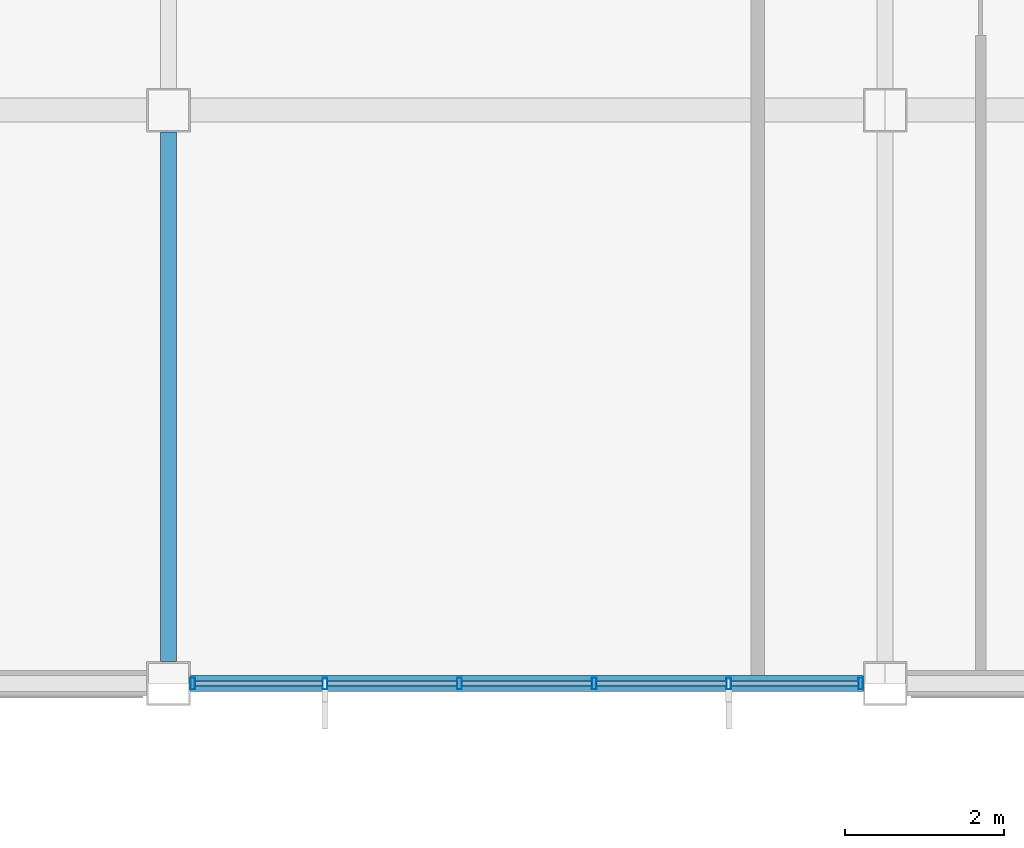
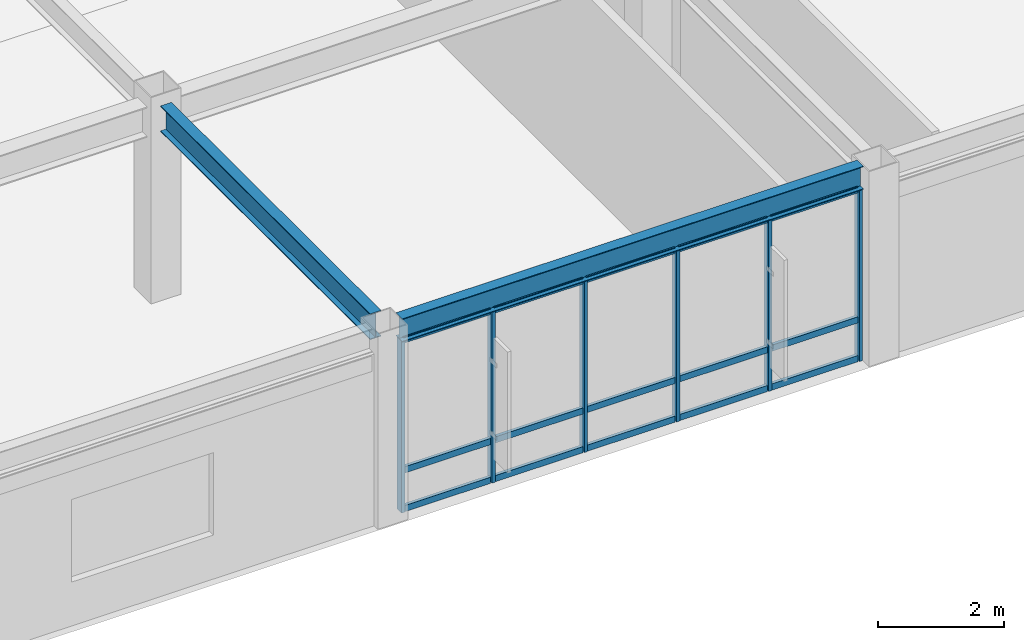
# One storey, part 28 of 113: 21 members, 2 beams, 1 element without a shape of its own.
"""IFC4 building model written with IfcOpenShell, lengths in metres."""

import ifcopenshell
import ifcopenshell.guid

model = None  # the IFC model being written
_history = None  # IfcOwnerHistory: only IFC2X3 demands one
_inside = {}  # id of a spatial element -> (the spatial element, [elements in it])
_under = {}  # id of a project, library or spatial element -> (it, [spatial elements below it])
_declared = {}  # id of a project -> (the project, [libraries it declares])
_typed = {}  # id of a type object -> (the type object, [elements of that type])
_made_of = {}  # id of a material, layer set ... -> (it, [elements and type objects made of it])


def new_model(schema):
    """Start an empty IFC model of exactly this schema.

    Asked for "IFC4X3", IfcOpenShell would pick the latest addendum, in which some entities
    have other attributes; the version numbers below select the first issue.
    IFC2X3 requires an IfcOwnerHistory on every rooted entity: one is made here for all.
    """
    global model, _history
    if schema == "IFC4X3":
        model = ifcopenshell.file(schema_version=(4, 3, 0, 0))
    else:
        model = ifcopenshell.file(schema=schema)
    _inside.clear()
    _under.clear()
    _declared.clear()
    _typed.clear()
    _made_of.clear()
    _history = None
    if model.schema == "IFC2X3":
        org = make("IfcOrganization", Name="unknown")
        user = make(
            "IfcPersonAndOrganization",
            ThePerson=make("IfcPerson", FamilyName="unknown"),
            TheOrganization=org,
        )
        app = make(
            "IfcApplication",
            ApplicationDeveloper=org,
            Version="unknown",
            ApplicationFullName="unknown",
            ApplicationIdentifier="unknown",
        )
        _history = make(
            "IfcOwnerHistory",
            OwningUser=user,
            OwningApplication=app,
            ChangeAction="ADDED",
            CreationDate=0,
        )
    return model


def make(cls, **values):
    """One entity of the class cls with the attributes given. An attribute that is None is left unset."""
    return model.create_entity(
        cls, **{name: value for name, value in values.items() if value is not None}
    )


def rooted(cls, **values):
    """An entity with a GlobalId (a new one), such as an element, a storey or a relation."""
    return make(cls, GlobalId=ifcopenshell.guid.new(), OwnerHistory=_history, **values)


def si_unit(unit_type, name, prefix=None):
    """IfcSIUnit, for example si_unit("LENGTHUNIT", "METRE", prefix="MILLI")."""
    return make("IfcSIUnit", UnitType=unit_type, Prefix=prefix, Name=name)


def assignment(units):
    """IfcUnitAssignment: the units of a project."""
    return None if units is None else make("IfcUnitAssignment", Units=units)


def point(xyz):
    """IfcCartesianPoint."""
    return None if xyz is None else make("IfcCartesianPoint", Coordinates=xyz)


def direction(xyz):
    """IfcDirection."""
    return None if xyz is None else make("IfcDirection", DirectionRatios=xyz)


def frame(location, z_axis=None, x_axis=None):
    """IfcAxis2Placement3D, a coordinate frame: its origin and axes. An axis left out is left unset."""
    return make(
        "IfcAxis2Placement3D",
        Location=point(location),
        Axis=direction(z_axis),
        RefDirection=direction(x_axis),
    )


def frame_2d(location, x_axis=None):
    """IfcAxis2Placement2D, a coordinate frame in the plane: its origin and x axis."""
    return make(
        "IfcAxis2Placement2D", Location=point(location), RefDirection=direction(x_axis)
    )


def origin():
    """The frame at (0, 0, 0) with its axes left unset."""
    return frame((0.0, 0.0, 0.0))


def origin_2d():
    """The frame at (0, 0) in the plane with its x axis left unset."""
    return frame_2d((0.0, 0.0))


def place(relative_to, where):
    """IfcLocalPlacement: puts the frame where relative to a parent placement (None: the world)."""
    return make(
        "IfcLocalPlacement", PlacementRelTo=relative_to, RelativePlacement=where
    )


def context(
    kind, dimensions, precision=None, world=None, true_north=None, identifier=None
):
    """IfcGeometricRepresentationContext, for example the 3D "Model" context."""
    return make(
        "IfcGeometricRepresentationContext",
        ContextIdentifier=identifier,
        ContextType=kind,
        CoordinateSpaceDimension=dimensions,
        Precision=precision,
        WorldCoordinateSystem=world,
        TrueNorth=true_north,
    )


def subcontext(parent, identifier, kind, view, scale=None):
    """IfcGeometricRepresentationSubContext, for example "Body" below "Model"."""
    return make(
        "IfcGeometricRepresentationSubContext",
        ContextIdentifier=identifier,
        ContextType=kind,
        ParentContext=parent,
        TargetScale=scale,
        TargetView=view,
    )


def project(units=None, contexts=None):
    """IfcProject with its units and contexts."""
    return rooted(
        "IfcProject",
        Name="project",
        RepresentationContexts=contexts,
        UnitsInContext=assignment(units),
    )


def spatial(cls, under=None, at=None, **own):
    """A site, building, storey or space (cls), placed at a placement, below another one or the project."""
    s = rooted(cls, ObjectPlacement=at, **own)
    if under is not None:
        _under.setdefault(under.id(), (under, []))[1].append(s)
    return s


def profile(cls, at=None, kind="AREA", **sizes):
    """A parametric profile (cls). Its sizes go by their IFC names, for example OverallWidth=200.0."""
    return make(cls, ProfileType=kind, Position=at, **sizes)


def hollow_rectangle(**sizes):
    """IfcRectangleHollowProfileDef."""
    return profile("IfcRectangleHollowProfileDef", **sizes)


def i_section(**sizes):
    """IfcIShapeProfileDef."""
    return profile("IfcIShapeProfileDef", **sizes)


def extrude(swept, where, along, depth):
    """IfcExtrudedAreaSolid: the profile swept, set in the frame where, extruded along a direction by depth."""
    return make(
        "IfcExtrudedAreaSolid",
        SweptArea=swept,
        Position=where,
        ExtrudedDirection=direction(along),
        Depth=depth,
    )


def shape(context_of_items, identifier, shape_type, items):
    """IfcShapeRepresentation: the items that make up one representation, for example the "Body"."""
    return make(
        "IfcShapeRepresentation",
        ContextOfItems=context_of_items,
        RepresentationIdentifier=identifier,
        RepresentationType=shape_type,
        Items=items,
    )


def material(Name=None, Category=None):
    """IfcMaterial."""
    return make("IfcMaterial", Name=Name, Category=Category)


def material_profile(
    of_material, cross_section, Name=None, Category=None, Priority=None
):
    """IfcMaterialProfile: a cross section and its material."""
    return make(
        "IfcMaterialProfile",
        Name=Name,
        Material=of_material,
        Profile=cross_section,
        Priority=Priority,
        Category=Category,
    )


def profile_set(profiles, Name=None, composite=None):
    """IfcMaterialProfileSet."""
    return make(
        "IfcMaterialProfileSet",
        Name=Name,
        MaterialProfiles=profiles,
        CompositeProfile=composite,
    )


def made_of(thing, what):
    """Note that an element or type object is made of a material, layer set ...; save() writes the relation."""
    if what is not None:
        _made_of.setdefault(what.id(), (what, []))[1].append(thing)
    return thing


def type_object(cls, material=None, **own):
    """A type object (cls), such as IfcWallType, which elements share."""
    return made_of(rooted(cls, **own), material)


def element(
    cls,
    number,
    at=None,
    inside=None,
    cuts=None,
    type_object=None,
    material=None,
    context=None,
    identifier="Body",
    shape_type=None,
    held_by="IfcProductDefinitionShape",
    body=None,
    shapes=None,
    **own,
):
    """One element of the class cls, such as IfcWall. Its Tag is "e" and its number.

    at: its placement. inside: the storey or other place that contains it. cuts: it is an
    opening in that element (IfcRelVoidsElement). A single representation is given by context,
    identifier, shape_type and body (its items); several are given by shapes. held_by: the class
    of the entity that holds the representations. save() writes the other relations.
    """
    e = rooted(cls, Tag="e%d" % number, ObjectPlacement=at, **own)
    if body is not None:
        shapes = [shape(context, identifier, shape_type, body)]
    if shapes is not None:
        e.Representation = make(held_by, Representations=shapes)
    if inside is not None:
        _inside.setdefault(inside.id(), (inside, []))[1].append(e)
    if cuts is not None:
        rooted(
            "IfcRelVoidsElement", RelatingBuildingElement=cuts, RelatedOpeningElement=e
        )
    if type_object is not None:
        _typed.setdefault(type_object.id(), (type_object, []))[1].append(e)
    return made_of(e, material)


def aggregate(whole, parts):
    """IfcRelAggregates: a whole, such as a stair, and the parts it consists of."""
    return rooted("IfcRelAggregates", RelatingObject=whole, RelatedObjects=parts)


def save(model, path):
    """Write the relations noted so far, then the file.

    IfcRelAggregates (storeys below a building ...), IfcRelContainedInSpatialStructure (elements
    in a storey), IfcRelDefinesByType, IfcRelAssociatesMaterial and IfcRelDeclares: one each for
    every whole, place, type object, material and project.
    """
    for whole, parts in _under.values():
        aggregate(whole, parts)
    for where, things in _inside.values():
        rooted(
            "IfcRelContainedInSpatialStructure",
            RelatedElements=things,
            RelatingStructure=where,
        )
    for kind, things in _typed.values():
        rooted("IfcRelDefinesByType", RelatedObjects=things, RelatingType=kind)
    for what, things in _made_of.values():
        rooted("IfcRelAssociatesMaterial", RelatedObjects=things, RelatingMaterial=what)
    for by, libraries in _declared.values():
        rooted("IfcRelDeclares", RelatingContext=by, RelatedDefinitions=libraries)
    model.write(path)


model = new_model("IFC4")

# Units and contexts
model_context = context("Model", 3, precision=1e-05, world=origin(), true_north=direction((0.0, 1.0)))
body_context = subcontext(model_context, "Body", "Model", "MODEL_VIEW")
ifc_project = project(units=[si_unit("LENGTHUNIT", "METRE"), si_unit("AREAUNIT", "SQUARE_METRE"), si_unit("VOLUMEUNIT", "CUBIC_METRE"), si_unit("PLANEANGLEUNIT", "RADIAN"), si_unit("MASSUNIT", "GRAM", prefix="KILO")], contexts=[model_context])

# Site, building, storey
site_placement = place(None, origin())
site = spatial("IfcSite", under=ifc_project, at=site_placement, CompositionType="ELEMENT")
building_placement = place(site_placement, origin())
building = spatial("IfcBuilding", under=site, at=building_placement, Name="Kazanami Central Library", CompositionType="ELEMENT")
storey_placement = place(building_placement, frame((0.0, 0.0, 8.800048828125)))
storey = spatial("IfcBuildingStorey", under=building, at=storey_placement, Name="L03", CompositionType="ELEMENT", Elevation=8.800048828125)

# Beams
ifc_material_1 = material(Name="Steel SN490B (325 MPa)", Category="steel")
ifc_material_profile_1 = material_profile(ifc_material_1, i_section(OverallWidth=0.199951171875, OverallDepth=0.5, WebThickness=0.010009765625, FlangeThickness=0.01611328125, at=origin_2d()), Name="H-500x200x10x16")
ifc_profile_set_1 = profile_set([ifc_material_profile_1], Name="Steel SN490B (325 MPa)")
beam_type_1 = type_object("IfcBeamType", Name="BM-G-Y2", PredefinedType="BEAM", material=ifc_profile_set_1)
beam_1_placement = place(storey_placement, frame((9.0, 57.873046875, 3.530029296875), z_axis=(0.0, 1.0, 0.0), x_axis=(-1.0, 0.0, 0.0)))
element("IfcBeam", 1, at=beam_1_placement, inside=storey, type_object=beam_type_1, Name="Girder G-Y2 L03 2/J-K", PredefinedType="BEAM", context=body_context, shape_type="SweptSolid", body=[
    extrude(i_section(OverallWidth=0.199951171875, OverallDepth=0.5, WebThickness=0.010009765625, FlangeThickness=0.01611328125, at=origin_2d()), origin(), (0.0, 0.0, 1.0), 6.654052734375),
])
ifc_material_profile_2 = material_profile(ifc_material_1, i_section(OverallWidth=0.199951171875, OverallDepth=0.449951171875, WebThickness=0.009033203125, FlangeThickness=0.013916015625, at=origin_2d()), Name="H-450x200x9x14")
ifc_profile_set_2 = profile_set([ifc_material_profile_2], Name="Steel SN490B (325 MPa)")
beam_type_2 = type_object("IfcBeamType", Name="BM-SP-2", PredefinedType="SPANDREL", material=ifc_profile_set_2)
beam_2_placement = place(storey_placement, frame((9.27294921875, 57.60009765625, 3.554931640625), z_axis=(1.0, 0.0, 0.0), x_axis=(0.0, 1.0, 0.0)))
element("IfcBeam", 2, at=beam_2_placement, inside=storey, type_object=beam_type_2, Name="Girder SP-2 L03 J/2-3", PredefinedType="SPANDREL", context=body_context, shape_type="SweptSolid", body=[
    extrude(i_section(OverallWidth=0.199951171875, OverallDepth=0.449951171875, WebThickness=0.009033203125, FlangeThickness=0.013916015625, at=origin_2d()), origin(), (0.0, 0.0, 1.0), 8.4541015625),
])

# Curtain wall, members
ifc_material_2 = material(Name="Acid-Etched Low-E Laminated Glass", Category="glass")
curtain_wall_type = type_object("IfcCurtainWallType", Name="CW-8450x3330-M180", PredefinedType="USERDEFINED", material=ifc_material_2)
curtain_wall_placement = place(storey_placement, origin())
curtain_wall = element("IfcCurtainWall", 3, at=curtain_wall_placement, inside=storey, type_object=curtain_wall_type, Name="Unitised Curtain Wall CW-27 L03 S-J-01", ObjectType="UNITISED CURTAIN WALL", PredefinedType="USERDEFINED")
ifc_material_3 = material(Name="Anodised Aluminium A6063-T5", Category="aluminium")
ifc_material_profile_3 = material_profile(ifc_material_3, hollow_rectangle(XDim=0.06005859375, YDim=0.14990234375, WallThickness=0.00390625, at=origin_2d()), Name="ALU-MULL-60x150x4")
ifc_profile_set_3 = profile_set([ifc_material_profile_3], Name="Anodised Aluminium A6063-T5")
member_type_1 = type_object("IfcMemberType", Name="MEM-CW-M3", PredefinedType="MULLION", material=ifc_profile_set_3)
member_1_placement = place(storey_placement, frame((9.304931640625, 57.60009765625, 0.0), z_axis=(0.0, 0.0, 1.0), x_axis=(1.0, 0.0, 0.0)))
member_1 = element("IfcMember", 4, at=member_1_placement, type_object=member_type_1, Name="CW-27 mullion 1", PredefinedType="MULLION", context=body_context, shape_type="SweptSolid", body=[
    extrude(hollow_rectangle(XDim=0.06005859375, YDim=0.14990234375, WallThickness=0.00390625, at=origin_2d()), origin(), (0.0, 0.0, 1.0), 3.329833984375),
])
member_2_placement = place(storey_placement, frame((10.965087890625, 57.60009765625, 0.0), z_axis=(0.0, 0.0, 1.0), x_axis=(1.0, 0.0, 0.0)))
member_2 = element("IfcMember", 5, at=member_2_placement, type_object=member_type_1, Name="CW-27 mullion 2", PredefinedType="MULLION", context=body_context, shape_type="SweptSolid", body=[
    extrude(hollow_rectangle(XDim=0.06005859375, YDim=0.14990234375, WallThickness=0.00390625, at=origin_2d()), origin(), (0.0, 0.0, 1.0), 3.329833984375),
])
member_3_placement = place(storey_placement, frame((12.655029296875, 57.60009765625, 0.0), z_axis=(0.0, 0.0, 1.0), x_axis=(1.0, 0.0, 0.0)))
member_3 = element("IfcMember", 6, at=member_3_placement, type_object=member_type_1, Name="CW-27 mullion 3", PredefinedType="MULLION", context=body_context, shape_type="SweptSolid", body=[
    extrude(hollow_rectangle(XDim=0.06005859375, YDim=0.14990234375, WallThickness=0.00390625, at=origin_2d()), origin(), (0.0, 0.0, 1.0), 3.329833984375),
])
member_4_placement = place(storey_placement, frame((14.344970703125, 57.60009765625, 0.0), z_axis=(0.0, 0.0, 1.0), x_axis=(1.0, 0.0, 0.0)))
member_4 = element("IfcMember", 7, at=member_4_placement, type_object=member_type_1, Name="CW-27 mullion 4", PredefinedType="MULLION", context=body_context, shape_type="SweptSolid", body=[
    extrude(hollow_rectangle(XDim=0.06005859375, YDim=0.14990234375, WallThickness=0.00390625, at=origin_2d()), origin(), (0.0, 0.0, 1.0), 3.329833984375),
])
member_5_placement = place(storey_placement, frame((16.034912109375, 57.60009765625, 0.0), z_axis=(0.0, 0.0, 1.0), x_axis=(1.0, 0.0, 0.0)))
member_5 = element("IfcMember", 8, at=member_5_placement, type_object=member_type_1, Name="CW-27 mullion 5", PredefinedType="MULLION", context=body_context, shape_type="SweptSolid", body=[
    extrude(hollow_rectangle(XDim=0.06005859375, YDim=0.14990234375, WallThickness=0.00390625, at=origin_2d()), origin(), (0.0, 0.0, 1.0), 3.329833984375),
])
member_6_placement = place(storey_placement, frame((17.695068359375, 57.60009765625, 0.0), z_axis=(0.0, 0.0, 1.0), x_axis=(1.0, 0.0, 0.0)))
member_6 = element("IfcMember", 9, at=member_6_placement, type_object=member_type_1, Name="CW-27 mullion 6", PredefinedType="MULLION", context=body_context, shape_type="SweptSolid", body=[
    extrude(hollow_rectangle(XDim=0.06005859375, YDim=0.14990234375, WallThickness=0.00390625, at=origin_2d()), origin(), (0.0, 0.0, 1.0), 3.329833984375),
])
ifc_material_profile_4 = material_profile(ifc_material_3, hollow_rectangle(XDim=0.06005859375, YDim=0.1201171875, WallThickness=0.00341796875, at=origin_2d()), Name="ALU-TRAN-60x120x3.5")
ifc_profile_set_4 = profile_set([ifc_material_profile_4], Name="Anodised Aluminium A6063-T5")
member_type_2 = type_object("IfcMemberType", Name="MEM-CW-T3", PredefinedType="USERDEFINED", material=ifc_profile_set_4)
member_7_placement = place(storey_placement, frame((9.3349609375, 57.60009765625, 0.030029296875), z_axis=(1.0, 0.0, 0.0), x_axis=(0.0, 1.0, 0.0)))
member_7 = element("IfcMember", 10, at=member_7_placement, type_object=member_type_2, Name="CW-27 transom 1.1", ObjectType="TRANSOM", PredefinedType="USERDEFINED", context=body_context, shape_type="SweptSolid", body=[
    extrude(hollow_rectangle(XDim=0.06005859375, YDim=0.1201171875, WallThickness=0.00341796875, at=origin_2d()), origin(), (0.0, 0.0, 1.0), 1.60009765625),
])
member_8_placement = place(storey_placement, frame((9.3349609375, 57.60009765625, 0.780029296875), z_axis=(1.0, 0.0, 0.0), x_axis=(0.0, 1.0, 0.0)))
member_8 = element("IfcMember", 11, at=member_8_placement, type_object=member_type_2, Name="CW-27 transom 1.2", ObjectType="TRANSOM", PredefinedType="USERDEFINED", context=body_context, shape_type="SweptSolid", body=[
    extrude(hollow_rectangle(XDim=0.06005859375, YDim=0.1201171875, WallThickness=0.00341796875, at=origin_2d()), origin(), (0.0, 0.0, 1.0), 1.60009765625),
])
member_9_placement = place(storey_placement, frame((9.3349609375, 57.60009765625, 3.300048828125), z_axis=(1.0, 0.0, 0.0), x_axis=(0.0, 1.0, 0.0)))
member_9 = element("IfcMember", 12, at=member_9_placement, type_object=member_type_2, Name="CW-27 transom 1.3", ObjectType="TRANSOM", PredefinedType="USERDEFINED", context=body_context, shape_type="SweptSolid", body=[
    extrude(hollow_rectangle(XDim=0.06005859375, YDim=0.1201171875, WallThickness=0.00341796875, at=origin_2d()), origin(), (0.0, 0.0, 1.0), 1.60009765625),
])
member_10_placement = place(storey_placement, frame((10.9951171875, 57.60009765625, 0.030029296875), z_axis=(1.0, 0.0, 0.0), x_axis=(0.0, 1.0, 0.0)))
member_10 = element("IfcMember", 13, at=member_10_placement, type_object=member_type_2, Name="CW-27 transom 2.1", ObjectType="TRANSOM", PredefinedType="USERDEFINED", context=body_context, shape_type="SweptSolid", body=[
    extrude(hollow_rectangle(XDim=0.06005859375, YDim=0.1201171875, WallThickness=0.00341796875, at=origin_2d()), origin(), (0.0, 0.0, 1.0), 1.6298828125),
])
member_11_placement = place(storey_placement, frame((10.9951171875, 57.60009765625, 0.780029296875), z_axis=(1.0, 0.0, 0.0), x_axis=(0.0, 1.0, 0.0)))
member_11 = element("IfcMember", 14, at=member_11_placement, type_object=member_type_2, Name="CW-27 transom 2.2", ObjectType="TRANSOM", PredefinedType="USERDEFINED", context=body_context, shape_type="SweptSolid", body=[
    extrude(hollow_rectangle(XDim=0.06005859375, YDim=0.1201171875, WallThickness=0.00341796875, at=origin_2d()), origin(), (0.0, 0.0, 1.0), 1.6298828125),
])
member_12_placement = place(storey_placement, frame((10.9951171875, 57.60009765625, 3.300048828125), z_axis=(1.0, 0.0, 0.0), x_axis=(0.0, 1.0, 0.0)))
member_12 = element("IfcMember", 15, at=member_12_placement, type_object=member_type_2, Name="CW-27 transom 2.3", ObjectType="TRANSOM", PredefinedType="USERDEFINED", context=body_context, shape_type="SweptSolid", body=[
    extrude(hollow_rectangle(XDim=0.06005859375, YDim=0.1201171875, WallThickness=0.00341796875, at=origin_2d()), origin(), (0.0, 0.0, 1.0), 1.6298828125),
])
member_13_placement = place(storey_placement, frame((12.68505859375, 57.60009765625, 0.030029296875), z_axis=(1.0, 0.0, 0.0), x_axis=(0.0, 1.0, 0.0)))
member_13 = element("IfcMember", 16, at=member_13_placement, type_object=member_type_2, Name="CW-27 transom 3.1", ObjectType="TRANSOM", PredefinedType="USERDEFINED", context=body_context, shape_type="SweptSolid", body=[
    extrude(hollow_rectangle(XDim=0.06005859375, YDim=0.1201171875, WallThickness=0.00341796875, at=origin_2d()), origin(), (0.0, 0.0, 1.0), 1.6298828125),
])
member_14_placement = place(storey_placement, frame((12.68505859375, 57.60009765625, 0.780029296875), z_axis=(1.0, 0.0, 0.0), x_axis=(0.0, 1.0, 0.0)))
member_14 = element("IfcMember", 17, at=member_14_placement, type_object=member_type_2, Name="CW-27 transom 3.2", ObjectType="TRANSOM", PredefinedType="USERDEFINED", context=body_context, shape_type="SweptSolid", body=[
    extrude(hollow_rectangle(XDim=0.06005859375, YDim=0.1201171875, WallThickness=0.00341796875, at=origin_2d()), origin(), (0.0, 0.0, 1.0), 1.6298828125),
])
member_15_placement = place(storey_placement, frame((12.68505859375, 57.60009765625, 3.300048828125), z_axis=(1.0, 0.0, 0.0), x_axis=(0.0, 1.0, 0.0)))
member_15 = element("IfcMember", 18, at=member_15_placement, type_object=member_type_2, Name="CW-27 transom 3.3", ObjectType="TRANSOM", PredefinedType="USERDEFINED", context=body_context, shape_type="SweptSolid", body=[
    extrude(hollow_rectangle(XDim=0.06005859375, YDim=0.1201171875, WallThickness=0.00341796875, at=origin_2d()), origin(), (0.0, 0.0, 1.0), 1.6298828125),
])
member_16_placement = place(storey_placement, frame((14.375, 57.60009765625, 0.030029296875), z_axis=(1.0, 0.0, 0.0), x_axis=(0.0, 1.0, 0.0)))
member_16 = element("IfcMember", 19, at=member_16_placement, type_object=member_type_2, Name="CW-27 transom 4.1", ObjectType="TRANSOM", PredefinedType="USERDEFINED", context=body_context, shape_type="SweptSolid", body=[
    extrude(hollow_rectangle(XDim=0.06005859375, YDim=0.1201171875, WallThickness=0.00341796875, at=origin_2d()), origin(), (0.0, 0.0, 1.0), 1.6298828125),
])
member_17_placement = place(storey_placement, frame((14.375, 57.60009765625, 0.780029296875), z_axis=(1.0, 0.0, 0.0), x_axis=(0.0, 1.0, 0.0)))
member_17 = element("IfcMember", 20, at=member_17_placement, type_object=member_type_2, Name="CW-27 transom 4.2", ObjectType="TRANSOM", PredefinedType="USERDEFINED", context=body_context, shape_type="SweptSolid", body=[
    extrude(hollow_rectangle(XDim=0.06005859375, YDim=0.1201171875, WallThickness=0.00341796875, at=origin_2d()), origin(), (0.0, 0.0, 1.0), 1.6298828125),
])
member_18_placement = place(storey_placement, frame((14.375, 57.60009765625, 3.300048828125), z_axis=(1.0, 0.0, 0.0), x_axis=(0.0, 1.0, 0.0)))
member_18 = element("IfcMember", 21, at=member_18_placement, type_object=member_type_2, Name="CW-27 transom 4.3", ObjectType="TRANSOM", PredefinedType="USERDEFINED", context=body_context, shape_type="SweptSolid", body=[
    extrude(hollow_rectangle(XDim=0.06005859375, YDim=0.1201171875, WallThickness=0.00341796875, at=origin_2d()), origin(), (0.0, 0.0, 1.0), 1.6298828125),
])
member_19_placement = place(storey_placement, frame((16.06494140625, 57.60009765625, 0.030029296875), z_axis=(1.0, 0.0, 0.0), x_axis=(0.0, 1.0, 0.0)))
member_19 = element("IfcMember", 22, at=member_19_placement, type_object=member_type_2, Name="CW-27 transom 5.1", ObjectType="TRANSOM", PredefinedType="USERDEFINED", context=body_context, shape_type="SweptSolid", body=[
    extrude(hollow_rectangle(XDim=0.06005859375, YDim=0.1201171875, WallThickness=0.00341796875, at=origin_2d()), origin(), (0.0, 0.0, 1.0), 1.60009765625),
])
member_20_placement = place(storey_placement, frame((16.06494140625, 57.60009765625, 0.780029296875), z_axis=(1.0, 0.0, 0.0), x_axis=(0.0, 1.0, 0.0)))
member_20 = element("IfcMember", 23, at=member_20_placement, type_object=member_type_2, Name="CW-27 transom 5.2", ObjectType="TRANSOM", PredefinedType="USERDEFINED", context=body_context, shape_type="SweptSolid", body=[
    extrude(hollow_rectangle(XDim=0.06005859375, YDim=0.1201171875, WallThickness=0.00341796875, at=origin_2d()), origin(), (0.0, 0.0, 1.0), 1.60009765625),
])
member_21_placement = place(storey_placement, frame((16.06494140625, 57.60009765625, 3.300048828125), z_axis=(1.0, 0.0, 0.0), x_axis=(0.0, 1.0, 0.0)))
member_21 = element("IfcMember", 24, at=member_21_placement, type_object=member_type_2, Name="CW-27 transom 5.3", ObjectType="TRANSOM", PredefinedType="USERDEFINED", context=body_context, shape_type="SweptSolid", body=[
    extrude(hollow_rectangle(XDim=0.06005859375, YDim=0.1201171875, WallThickness=0.00341796875, at=origin_2d()), origin(), (0.0, 0.0, 1.0), 1.60009765625),
])
aggregate(curtain_wall, [member_1, member_2, member_3, member_4, member_5, member_6, member_7, member_8, member_9, member_10, member_11, member_12, member_13, member_14, member_15, member_16, member_17, member_18, member_19, member_20, member_21])

save(model, "model.ifc")
